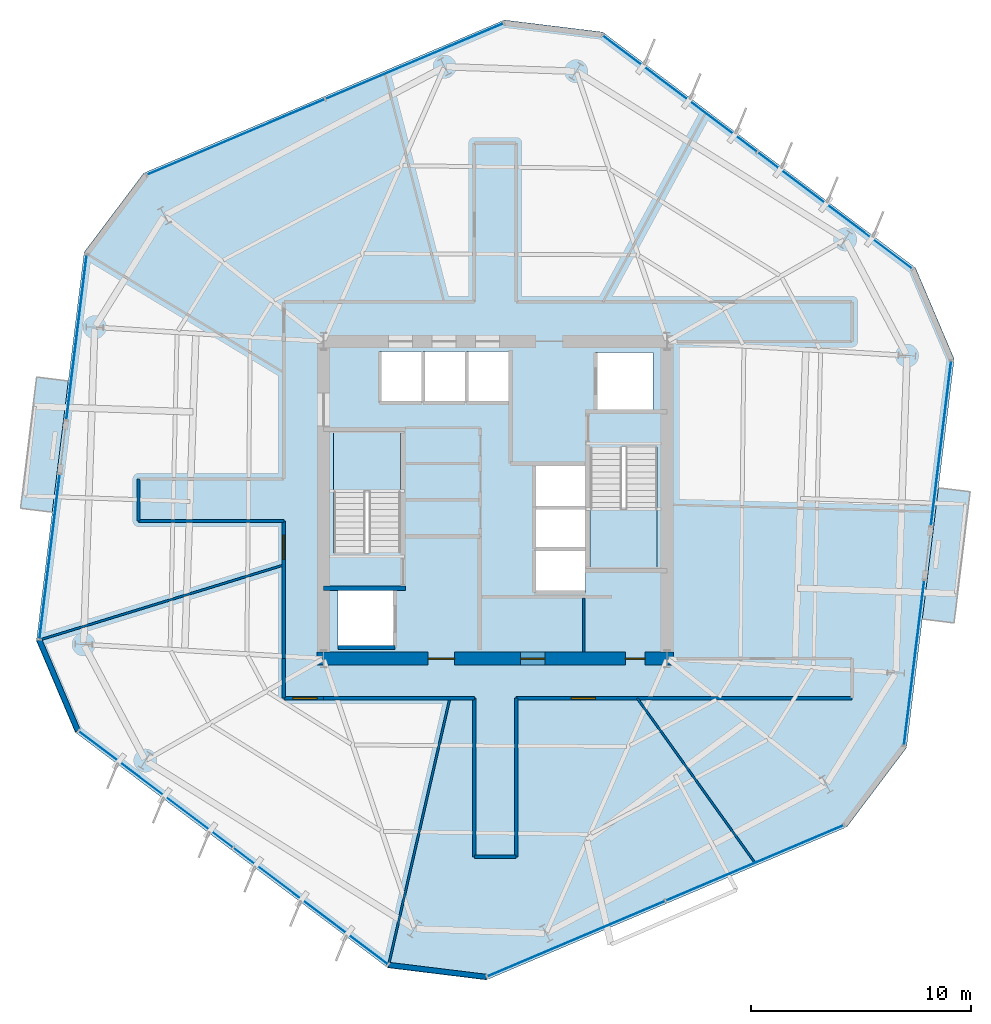
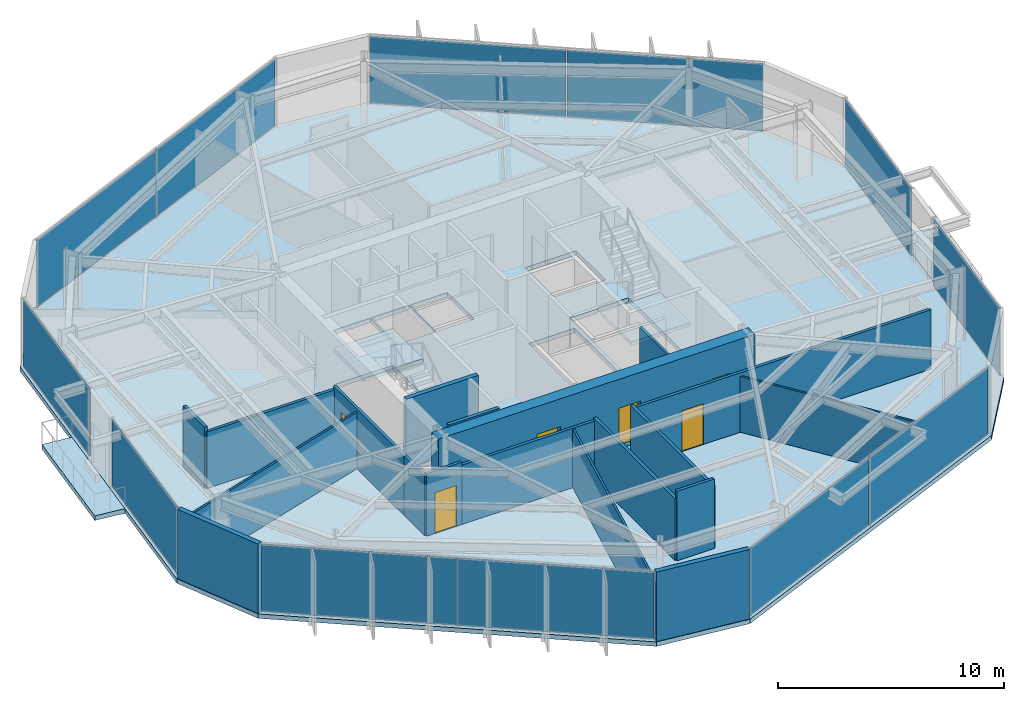
# One storey, part 6 of 11: 19 walls, 12 plates, 6 doors, 5 slabs, 6 openings, 10 elements without a shape of their own.
"""IFC4 building model written with IfcOpenShell, lengths in metres."""

from ifc_helpers import new_model, si_unit, direction, frame, frame_2d, origin, origin_2d, place, context, subcontext, project, spatial, polyline, rectangle, outline, extrude, material, layer, layer_set, type_object, element, fill, aggregate, save


model = new_model("IFC4")

# Units and contexts
model_context = context("Model", 3, precision=1e-05, world=origin(), true_north=direction((0.0, 1.0)))
body_context = subcontext(model_context, "Body", "Model", "MODEL_VIEW")
ifc_project = project(units=[si_unit("LENGTHUNIT", "METRE"), si_unit("AREAUNIT", "SQUARE_METRE"), si_unit("VOLUMEUNIT", "CUBIC_METRE"), si_unit("PLANEANGLEUNIT", "RADIAN"), si_unit("MASSUNIT", "GRAM", prefix="KILO")], contexts=[model_context])

# Site, building, storey
site_placement = place(None, origin())
site = spatial("IfcSite", under=ifc_project, at=site_placement, CompositionType="ELEMENT")
building_placement = place(site_placement, origin())
building = spatial("IfcBuilding", under=site, at=building_placement, Name="Kranzbogen Civic Tower", CompositionType="ELEMENT")
storey_placement = place(building_placement, frame((0.0, 0.0, 114.39990234375)))
storey = spatial("IfcBuildingStorey", under=building, at=storey_placement, Name="L27", CompositionType="ELEMENT", Elevation=114.39990234375)

# Slab
ifc_material_1 = material(Name="Concrete C40/50", Category="concrete")
ifc_layer_1 = layer(ifc_material_1, 0.239990234375, Name="Concrete C40/50")
ifc_layer_set_1 = layer_set([ifc_layer_1], Name="Concrete C40/50")
slab_type_1 = type_object("IfcSlabType", Name="Composite Lower Tower Floor Slab 240 mm", PredefinedType="FLOOR", material=ifc_layer_set_1)
slab_1_placement = place(storey_placement, frame((0.0, 0.0, -0.239990234375)))
element("IfcSlab", 1, at=slab_1_placement, inside=storey, type_object=slab_type_1, Name="L27 tower floor slab", PredefinedType="FLOOR", context=body_context, shape_type="SweptSolid", body=[
    extrude(outline(polyline([(44.076904296875, 35.5419921875), (29.875, 46.243896484375), (25.408935546875, 46.7919921875), (9.0400390625, 39.843994140625), (6.33203125, 36.25), (4.1650390625, 18.60009765625), (5.923095703125, 14.4580078125), (20.125, 3.756103515625), (24.591064453125, 3.2080078125), (40.9599609375, 10.156005859375), (43.66796875, 13.75), (45.8349609375, 31.39990234375), (44.076904296875, 35.5419921875)]), holes=[polyline([(20.449951171875, 20.89990234375), (20.449951171875, 18.300048828125), (17.85009765625, 18.300048828125), (17.85009765625, 20.89990234375), (20.449951171875, 20.89990234375)]), polyline([(29.10009765625, 22.699951171875), (29.10009765625, 20.800048828125), (26.75, 20.800048828125), (26.75, 22.699951171875), (29.10009765625, 22.699951171875)]), polyline([(29.10009765625, 24.64990234375), (29.10009765625, 22.77490234375), (26.75, 22.77490234375), (26.75, 24.64990234375), (26.75, 24.675048828125), (26.75, 26.550048828125), (29.10009765625, 26.550048828125), (29.10009765625, 24.675048828125), (29.10009765625, 24.64990234375)]), polyline([(30.75, 27.340087890625), (30.75, 27.39990234375), (32.35009765625, 27.39990234375), (32.35009765625, 21.89990234375), (29.300048828125, 21.89990234375), (29.300048828125, 27.340087890625), (30.75, 27.340087890625)]), polyline([(19.25, 22.659912109375), (19.25, 22.60009765625), (17.64990234375, 22.60009765625), (17.64990234375, 28.10009765625), (20.699951171875, 28.10009765625), (20.699951171875, 22.659912109375), (19.25, 22.659912109375)]), polyline([(32.14990234375, 31.699951171875), (32.14990234375, 29.10009765625), (29.550048828125, 29.10009765625), (29.550048828125, 31.699951171875), (32.14990234375, 31.699951171875)]), polyline([(21.64990234375, 31.75), (21.64990234375, 29.39990234375), (19.75, 29.39990234375), (19.75, 31.75), (21.64990234375, 31.75)]), polyline([(23.625, 29.39990234375), (21.72509765625, 29.39990234375), (21.72509765625, 31.75), (23.625, 31.75), (23.625, 29.39990234375)]), polyline([(25.60009765625, 29.39990234375), (23.699951171875, 29.39990234375), (23.699951171875, 31.75), (25.60009765625, 31.75), (25.60009765625, 29.39990234375)])]), origin(), (0.0, 0.0, 1.0), 0.239990234375),
])

# Curtain wall, plates
ifc_material_2 = material(Name="Pale Anodised Aluminium", Category="aluminium")
ifc_layer_2 = layer(ifc_material_2, 0.219970703125, Name="Pale Anodised Aluminium")
ifc_layer_set_2 = layer_set([ifc_layer_2], Name="Pale Anodised Aluminium")
curtain_wall_type = type_object("IfcCurtainWallType", Name="Zone 2 Stick Curtain Wall System CW-03", PredefinedType="USERDEFINED", material=ifc_layer_set_2)
curtain_wall_1_placement = place(storey_placement, origin())
curtain_wall_1 = element("IfcCurtainWall", 2, at=curtain_wall_1_placement, inside=storey, type_object=curtain_wall_type, Name="L27 curtain wall CW-L27-F1", ObjectType="STICK CURTAIN WALL", PredefinedType="USERDEFINED")
ifc_material_3 = material(Name="Low-E Triple Glazing Glass", Category="glass")
ifc_layer_3 = layer(ifc_material_3, 0.031982421875, Name="Low-E Triple Glazing Glass")
ifc_layer_set_3 = layer_set([ifc_layer_3], Name="Low-E Triple Glazing Glass")
plate_type = type_object("IfcPlateType", Name="Insulated Low-E Glazing Panel 32 mm", PredefinedType="CURTAIN_PANEL", material=ifc_layer_set_3)
plate_1_placement = place(storey_placement, frame((40.41455078125, 38.1416015625, 0.06005859375), z_axis=(0.0, 0.0, 1.0), x_axis=(-0.7985987208, 0.601863841027, 0.0)))
plate_1 = element("IfcPlate", 3, at=plate_1_placement, type_object=plate_type, Name="CW-03 panel 1.1", PredefinedType="CURTAIN_PANEL", context=body_context, shape_type="SweptSolid", body=[
    extrude(rectangle(XDim=8.744140625, YDim=0.028076171875, at=origin_2d()), origin(), (0.0, 0.0, 1.0), 3.639892578125),
])
plate_2_placement = place(storey_placement, frame((33.383544921875, 43.4404296875, 0.06005859375), z_axis=(0.0, 0.0, 1.0), x_axis=(-0.7985987208, 0.601863841027, 0.0)))
plate_2 = element("IfcPlate", 4, at=plate_2_placement, type_object=plate_type, Name="CW-03 panel 2.1", PredefinedType="CURTAIN_PANEL", context=body_context, shape_type="SweptSolid", body=[
    extrude(rectangle(XDim=8.744140625, YDim=0.028076171875, at=origin_2d()), origin(), (0.0, 0.0, 1.0), 3.639892578125),
])
aggregate(curtain_wall_1, [plate_1, plate_2])

curtain_wall_2_placement = place(storey_placement, origin())
curtain_wall_2 = element("IfcCurtainWall", 5, at=curtain_wall_2_placement, inside=storey, type_object=curtain_wall_type, Name="L27 curtain wall CW-L27-F2", ObjectType="STICK CURTAIN WALL", PredefinedType="USERDEFINED")
plate_3_placement = place(storey_placement, frame((21.326416015625, 44.92041015625, 0.06005859375), z_axis=(0.0, 0.0, 1.0), x_axis=(-0.92050961582, -0.390719908864, 0.0)))
plate_3 = element("IfcPlate", 6, at=plate_3_placement, type_object=plate_type, Name="CW-03 panel 1.1", PredefinedType="CURTAIN_PANEL", context=body_context, shape_type="SweptSolid", body=[
    extrude(rectangle(XDim=8.74365234375, YDim=0.028076171875, at=origin_2d()), origin(), (0.0, 0.0, 1.0), 3.639892578125),
])
plate_4_placement = place(storey_placement, frame((13.22265625, 41.480712890625, 0.06005859375), z_axis=(0.0, 0.0, 1.0), x_axis=(-0.92050961582, -0.390719908864, 0.0)))
plate_4 = element("IfcPlate", 7, at=plate_4_placement, type_object=plate_type, Name="CW-03 panel 2.1", PredefinedType="CURTAIN_PANEL", context=body_context, shape_type="SweptSolid", body=[
    extrude(rectangle(XDim=8.74365234375, YDim=0.028076171875, at=origin_2d()), origin(), (0.0, 0.0, 1.0), 3.639892578125),
])
aggregate(curtain_wall_2, [plate_3, plate_4])

# Curtain wall, plate
curtain_wall_3_placement = place(storey_placement, origin())
curtain_wall_3 = element("IfcCurtainWall", 8, at=curtain_wall_3_placement, inside=storey, type_object=curtain_wall_type, Name="L27 curtain wall CW-L27-F3-S1", ObjectType="STICK CURTAIN WALL", PredefinedType="USERDEFINED")
plate_5_placement = place(storey_placement, frame((5.987060546875, 32.388916015625, 0.06005859375), z_axis=(0.0, 0.0, 1.0), x_axis=(-0.121809807043, -0.992553459975, 0.0)))
plate_5 = element("IfcPlate", 9, at=plate_5_placement, type_object=plate_type, Name="CW-03 panel 1.1", PredefinedType="CURTAIN_PANEL", context=body_context, shape_type="SweptSolid", body=[
    extrude(rectangle(XDim=7.514892578125, YDim=0.028076171875, at=origin_2d()), origin(), (0.0, 0.0, 1.0), 3.639892578125),
])
aggregate(curtain_wall_3, [plate_5])

curtain_wall_4_placement = place(storey_placement, origin())
curtain_wall_4 = element("IfcCurtainWall", 10, at=curtain_wall_4_placement, inside=storey, type_object=curtain_wall_type, Name="L27 curtain wall CW-L27-F3-S2", ObjectType="STICK CURTAIN WALL", PredefinedType="USERDEFINED")
plate_6_placement = place(storey_placement, frame((4.763916015625, 22.429443359375, 0.06005859375), z_axis=(0.0, 0.0, 1.0), x_axis=(-0.121825644722, -0.992551516188, 0.0)))
plate_6 = element("IfcPlate", 11, at=plate_6_placement, type_object=plate_type, Name="CW-03 panel 1.1", PredefinedType="CURTAIN_PANEL", context=body_context, shape_type="SweptSolid", body=[
    extrude(rectangle(XDim=7.513916015625, YDim=0.028076171875, at=origin_2d()), origin(), (0.0, 0.0, 1.0), 3.639892578125),
])
aggregate(curtain_wall_4, [plate_6])

# Curtain wall, plates
curtain_wall_5_placement = place(storey_placement, origin())
curtain_wall_5 = element("IfcCurtainWall", 12, at=curtain_wall_5_placement, inside=storey, type_object=curtain_wall_type, Name="L27 curtain wall CW-L27-F4", ObjectType="STICK CURTAIN WALL", PredefinedType="USERDEFINED")
plate_7_placement = place(storey_placement, frame((9.58544921875, 11.8583984375, 0.06005859375), z_axis=(0.0, 0.0, 1.0), x_axis=(0.7985987208, -0.601863841027, 0.0)))
plate_7 = element("IfcPlate", 13, at=plate_7_placement, type_object=plate_type, Name="CW-03 panel 1.1", PredefinedType="CURTAIN_PANEL", context=body_context, shape_type="SweptSolid", body=[
    extrude(rectangle(XDim=8.744140625, YDim=0.028076171875, at=origin_2d()), origin(), (0.0, 0.0, 1.0), 3.639892578125),
])
plate_8_placement = place(storey_placement, frame((16.616455078125, 6.5595703125, 0.06005859375), z_axis=(0.0, 0.0, 1.0), x_axis=(0.7985987208, -0.601863841027, 0.0)))
plate_8 = element("IfcPlate", 14, at=plate_8_placement, type_object=plate_type, Name="CW-03 panel 2.1", PredefinedType="CURTAIN_PANEL", context=body_context, shape_type="SweptSolid", body=[
    extrude(rectangle(XDim=8.744140625, YDim=0.028076171875, at=origin_2d()), origin(), (0.0, 0.0, 1.0), 3.639892578125),
])
aggregate(curtain_wall_5, [plate_7, plate_8])

curtain_wall_6_placement = place(storey_placement, origin())
curtain_wall_6 = element("IfcCurtainWall", 15, at=curtain_wall_6_placement, inside=storey, type_object=curtain_wall_type, Name="L27 curtain wall CW-L27-F5", ObjectType="STICK CURTAIN WALL", PredefinedType="USERDEFINED")
plate_9_placement = place(storey_placement, frame((28.673583984375, 5.07958984375, 0.06005859375), z_axis=(0.0, 0.0, 1.0), x_axis=(0.92050961582, 0.390719908864, 0.0)))
plate_9 = element("IfcPlate", 16, at=plate_9_placement, type_object=plate_type, Name="CW-03 panel 1.1", PredefinedType="CURTAIN_PANEL", context=body_context, shape_type="SweptSolid", body=[
    extrude(rectangle(XDim=8.74365234375, YDim=0.028076171875, at=origin_2d()), origin(), (0.0, 0.0, 1.0), 3.639892578125),
])
plate_10_placement = place(storey_placement, frame((36.77734375, 8.519287109375, 0.06005859375), z_axis=(0.0, 0.0, 1.0), x_axis=(0.92050961582, 0.390719908864, 0.0)))
plate_10 = element("IfcPlate", 17, at=plate_10_placement, type_object=plate_type, Name="CW-03 panel 2.1", PredefinedType="CURTAIN_PANEL", context=body_context, shape_type="SweptSolid", body=[
    extrude(rectangle(XDim=8.74365234375, YDim=0.028076171875, at=origin_2d()), origin(), (0.0, 0.0, 1.0), 3.639892578125),
])
aggregate(curtain_wall_6, [plate_9, plate_10])

# Curtain wall, plate
curtain_wall_7_placement = place(storey_placement, origin())
curtain_wall_7 = element("IfcCurtainWall", 18, at=curtain_wall_7_placement, inside=storey, type_object=curtain_wall_type, Name="L27 curtain wall CW-L27-F6-S1", ObjectType="STICK CURTAIN WALL", PredefinedType="USERDEFINED")
plate_11_placement = place(storey_placement, frame((44.012939453125, 17.611083984375, 0.06005859375), z_axis=(0.0, 0.0, 1.0), x_axis=(0.121809807043, 0.992553459975, 0.0)))
plate_11 = element("IfcPlate", 19, at=plate_11_placement, type_object=plate_type, Name="CW-03 panel 1.1", PredefinedType="CURTAIN_PANEL", context=body_context, shape_type="SweptSolid", body=[
    extrude(rectangle(XDim=7.514892578125, YDim=0.028076171875, at=origin_2d()), origin(), (0.0, 0.0, 1.0), 3.639892578125),
])
aggregate(curtain_wall_7, [plate_11])

curtain_wall_8_placement = place(storey_placement, origin())
curtain_wall_8 = element("IfcCurtainWall", 20, at=curtain_wall_8_placement, inside=storey, type_object=curtain_wall_type, Name="L27 curtain wall CW-L27-F6-S2", ObjectType="STICK CURTAIN WALL", PredefinedType="USERDEFINED")
plate_12_placement = place(storey_placement, frame((45.236083984375, 27.570556640625, 0.06005859375), z_axis=(0.0, 0.0, 1.0), x_axis=(0.121825644722, 0.992551516188, 0.0)))
plate_12 = element("IfcPlate", 21, at=plate_12_placement, type_object=plate_type, Name="CW-03 panel 1.1", PredefinedType="CURTAIN_PANEL", context=body_context, shape_type="SweptSolid", body=[
    extrude(rectangle(XDim=7.513916015625, YDim=0.028076171875, at=origin_2d()), origin(), (0.0, 0.0, 1.0), 3.639892578125),
])
aggregate(curtain_wall_8, [plate_12])

# Stair, slab
ifc_material_4 = material(Name="Precast concrete C40/50", Category="concrete")
stair_type_1 = type_object("IfcStairType", Name="Tower Core Pressurized Dogleg Stair 1450", PredefinedType="HALF_TURN_STAIR", material=ifc_material_4)
stair_1_placement = place(storey_placement, origin())
stair_1 = element("IfcStair", 22, at=stair_1_placement, inside=storey, type_object=stair_type_1, Name="L27 Tower Core Pressurized Stair 1", PredefinedType="HALF_TURN_STAIR")
ifc_layer_4 = layer(ifc_material_4, 0.199951171875, Name="Precast concrete C40/50")
ifc_layer_set_4 = layer_set([ifc_layer_4], Name="Precast concrete C40/50")
slab_type_2 = type_object("IfcSlabType", Name="Precast Concrete Stair Landing Slab 200 mm", PredefinedType="LANDING", material=ifc_layer_set_4)
slab_2_placement = place(storey_placement, frame((0.0, 0.0, 1.800048828125)))
slab_2 = element("IfcSlab", 23, at=slab_2_placement, type_object=slab_type_2, Name="ST-T1 landing 1", PredefinedType="LANDING", context=body_context, shape_type="SweptSolid", body=[
    extrude(outline(polyline([(20.699951171875, 25.39990234375), (20.699951171875, 28.10009765625), (17.64990234375, 28.10009765625), (17.64990234375, 25.39990234375), (20.699951171875, 25.39990234375)])), origin(), (0.0, 0.0, 1.0), 0.199951171875),
])
aggregate(stair_1, [slab_2])

stair_type_2 = type_object("IfcStairType", Name="Tower Core Secondary Dogleg Stair 1450", PredefinedType="HALF_TURN_STAIR", material=ifc_material_4)
stair_2_placement = place(storey_placement, origin())
stair_2 = element("IfcStair", 24, at=stair_2_placement, inside=storey, type_object=stair_type_2, Name="L27 Tower Core Pressurized Stair 2", PredefinedType="HALF_TURN_STAIR")
slab_3_placement = place(storey_placement, frame((0.0, 0.0, 1.800048828125)))
slab_3 = element("IfcSlab", 25, at=slab_3_placement, type_object=slab_type_2, Name="ST-T2 landing 1", PredefinedType="LANDING", context=body_context, shape_type="SweptSolid", body=[
    extrude(outline(polyline([(29.300048828125, 24.60009765625), (29.300048828125, 21.89990234375), (32.35009765625, 21.89990234375), (32.35009765625, 24.60009765625), (29.300048828125, 24.60009765625)])), origin(), (0.0, 0.0, 1.0), 0.199951171875),
])
aggregate(stair_2, [slab_3])

# Slabs
ifc_layer_5 = layer(ifc_material_1, 0.25, Name="Concrete C40/50")
ifc_layer_set_5 = layer_set([ifc_layer_5], Name="Concrete C40/50")
slab_type_3 = type_object("IfcSlabType", Name="Tree Balcony Cantilevered Slab 250 mm", PredefinedType="FLOOR", material=ifc_layer_set_5)
slab_4_placement = place(storey_placement, frame((0.0, 0.0, -0.25)))
element("IfcSlab", 26, at=slab_4_placement, inside=storey, type_object=slab_type_3, Name="L27 cantilevered tree balcony L27-TB1", PredefinedType="FLOOR", context=body_context, shape_type="SweptSolid", body=[
    extrude(outline(polyline([(5.614013671875, 30.403076171875), (4.883056640625, 24.447998046875), (3.444091796875, 24.625), (4.175048828125, 30.580078125), (5.614013671875, 30.403076171875)])), origin(), (0.0, 0.0, 1.0), 0.25),
])
slab_5_placement = place(storey_placement, frame((0.0, 0.0, -0.25)))
element("IfcSlab", 27, at=slab_5_placement, inside=storey, type_object=slab_type_3, Name="L27 cantilevered tree balcony L27-TB2", PredefinedType="FLOOR", context=body_context, shape_type="SweptSolid", body=[
    extrude(outline(polyline([(44.385986328125, 19.596923828125), (45.116943359375, 25.552001953125), (46.555908203125, 25.375), (45.824951171875, 19.419921875), (44.385986328125, 19.596923828125)])), origin(), (0.0, 0.0, 1.0), 0.25),
])

# Wall, opening, door
ifc_material_5 = material(Name="Double-Stud Acoustic Gypsum Partition")
ifc_layer_6 = layer(ifc_material_5, 0.14990234375, Name="Double-Stud Acoustic Gypsum Partition")
ifc_layer_set_6 = layer_set([ifc_layer_6], Name="Double-Stud Acoustic Gypsum Partition")
wall_type_1 = type_object("IfcWallType", Name="Acoustic Corridor and Clinical Partition 150 mm", PredefinedType="PARTITIONING", material=ifc_layer_set_6)
wall_1_placement = place(storey_placement, frame((17.199951171875, 16.0, 0.0), z_axis=(0.0, 0.0, 1.0), x_axis=(-1.0, 0.0, 0.0)))
wall_1 = element("IfcWall", 28, at=wall_1_placement, inside=storey, type_object=wall_type_1, Name="L27 corridor partition 01", PredefinedType="PARTITIONING", context=body_context, shape_type="SweptSolid", body=[
    extrude(rectangle(XDim=1.800048828125, YDim=0.14990234375, at=frame_2d((0.89990234375, 0.0))), origin(), (0.0, 0.0, 1.0), 3.360107421875),
])
opening_1_placement = place(wall_1_placement, frame((0.287109375, 0.0, 0.0)))
opening_1 = element("IfcOpeningElement", 29, at=opening_1_placement, cuts=wall_1, Name="Opening D-COR60", PredefinedType="OPENING", context=body_context, shape_type="SweptSolid", body=[
    extrude(rectangle(XDim=1.10009765625, YDim=2.199951171875, at=frame_2d((0.550048828125, 1.10009765625))), frame((0.0, 0.0849609375, 0.0), z_axis=(0.0, -1.0, 0.0), x_axis=(1.0, 0.0, 0.0)), (0.0, 0.0, 1.0), 0.169921875),
])
ifc_material_6 = material(Name="Oak Timber and Fire Core", Category="wood")
door_type_1 = type_object("IfcDoorType", Name="Corridor Acoustic Fire Door 1100x2200", OperationType="NOTDEFINED", PredefinedType="DOOR", material=ifc_material_6)
door_1_placement = place(opening_1_placement, origin())
door_1 = element("IfcDoor", 30, at=door_1_placement, inside=storey, type_object=door_type_1, Name="L27 Executive Briefing Conference Room door", OperationType="SINGLE_SWING_RIGHT", OverallHeight=2.199951171875, OverallWidth=1.10009765625, PredefinedType="DOOR", context=body_context, shape_type="SweptSolid", body=[
    extrude(rectangle(XDim=1.10009765625, YDim=2.199951171875, at=frame_2d((0.550048828125, 1.10009765625))), frame((0.0, 0.02490234375, 0.0), z_axis=(0.0, -1.0, 0.0), x_axis=(1.0, 0.0, 0.0)), (0.0, 0.0, 1.0), 0.050048828125),
])
fill(opening_1, door_1)

# Wall
wall_2_placement = place(storey_placement, frame((15.39990234375, 16.0, 0.0), z_axis=(0.0, 0.0, 1.0), x_axis=(0.0, 1.0, 0.0)))
element("IfcWall", 31, at=wall_2_placement, inside=storey, type_object=wall_type_1, Name="L27 corridor partition 02", PredefinedType="PARTITIONING", context=body_context, shape_type="SweptSolid", body=[
    extrude(rectangle(XDim=1.800048828125, YDim=0.14990234375, at=frame_2d((0.89990234375, 0.0))), origin(), (0.0, 0.0, 1.0), 3.210205078125),
])

# Wall, opening, door
wall_3_placement = place(storey_placement, frame((15.39990234375, 17.800048828125, 0.0), z_axis=(0.0, 0.0, 1.0), x_axis=(0.0, 1.0, 0.0)))
wall_3 = element("IfcWall", 32, at=wall_3_placement, inside=storey, type_object=wall_type_1, Name="L27 corridor partition 03", PredefinedType="PARTITIONING", context=body_context, shape_type="SweptSolid", body=[
    extrude(rectangle(XDim=6.25, YDim=0.14990234375, at=frame_2d((3.125, 0.0))), origin(), (0.0, 0.0, 1.0), 3.210205078125),
])
opening_2_placement = place(wall_3_placement, frame((4.508056640625, 0.0, 0.0)))
opening_2 = element("IfcOpeningElement", 33, at=opening_2_placement, cuts=wall_3, Name="Opening D-COR60", PredefinedType="OPENING", context=body_context, shape_type="SweptSolid", body=[
    extrude(rectangle(XDim=1.10009765625, YDim=2.199951171875, at=frame_2d((0.550048828125, 1.10009765625))), frame((0.0, 0.0849609375, 0.0), z_axis=(0.0, -1.0, 0.0), x_axis=(1.0, 0.0, 0.0)), (0.0, 0.0, 1.0), 0.169921875),
])
door_2_placement = place(opening_2_placement, origin())
door_2 = element("IfcDoor", 34, at=door_2_placement, inside=storey, type_object=door_type_1, Name="L27 Public Delegation Reception door", OperationType="SINGLE_SWING_RIGHT", OverallHeight=2.199951171875, OverallWidth=1.10009765625, PredefinedType="DOOR", context=body_context, shape_type="SweptSolid", body=[
    extrude(rectangle(XDim=1.10009765625, YDim=2.199951171875, at=frame_2d((0.550048828125, 1.10009765625))), frame((0.0, 0.02490234375, 0.0), z_axis=(0.0, -1.0, 0.0), x_axis=(1.0, 0.0, 0.0)), (0.0, 0.0, 1.0), 0.050048828125),
])
fill(opening_2, door_2)

# Walls
wall_4_placement = place(storey_placement, frame((15.39990234375, 24.050048828125, 0.0), z_axis=(0.0, 0.0, 1.0), x_axis=(-1.0, 0.0, 0.0)))
element("IfcWall", 35, at=wall_4_placement, inside=storey, type_object=wall_type_1, Name="L27 corridor partition 04", PredefinedType="PARTITIONING", context=body_context, shape_type="SweptSolid", body=[
    extrude(rectangle(XDim=6.599853515625, YDim=0.14990234375, at=frame_2d((3.2998046875, 0.0))), origin(), (0.0, 0.0, 1.0), 3.050048828125),
])
wall_5_placement = place(storey_placement, frame((8.800048828125, 24.050048828125, 0.0), z_axis=(0.0, 0.0, 1.0), x_axis=(0.0, 1.0, 0.0)))
element("IfcWall", 36, at=wall_5_placement, inside=storey, type_object=wall_type_1, Name="L27 corridor partition 05", PredefinedType="PARTITIONING", context=body_context, shape_type="SweptSolid", body=[
    extrude(rectangle(XDim=1.89990234375, YDim=0.14990234375, at=frame_2d((0.949951171875, 0.0))), origin(), (0.0, 0.0, 1.0), 3.300048828125),
])

# Wall, opening, door
wall_6_placement = place(storey_placement, frame((41.199951171875, 16.0, 0.0), z_axis=(0.0, 0.0, 1.0), x_axis=(-1.0, 0.0, 0.0)))
wall_6 = element("IfcWall", 37, at=wall_6_placement, inside=storey, type_object=wall_type_1, Name="L27 corridor partition 19", PredefinedType="PARTITIONING", context=body_context, shape_type="SweptSolid", body=[
    extrude(rectangle(XDim=15.25, YDim=0.14990234375, at=frame_2d((7.625, 0.0))), origin(), (0.0, 0.0, 1.0), 3.210205078125),
])
opening_3_placement = place(wall_6_placement, frame((11.652099609375, 0.0, 0.0)))
opening_3 = element("IfcOpeningElement", 38, at=opening_3_placement, cuts=wall_6, Name="Opening D-COR60", PredefinedType="OPENING", context=body_context, shape_type="SweptSolid", body=[
    extrude(rectangle(XDim=1.10009765625, YDim=2.199951171875, at=frame_2d((0.550048828125, 1.10009765625))), frame((0.0, 0.0849609375, 0.0), z_axis=(0.0, -1.0, 0.0), x_axis=(1.0, 0.0, 0.0)), (0.0, 0.0, 1.0), 0.169921875),
])
door_3_placement = place(opening_3_placement, origin())
door_3 = element("IfcDoor", 39, at=door_3_placement, inside=storey, type_object=door_type_1, Name="L27 Parliamentary Review Boardroom door", OperationType="SINGLE_SWING_LEFT", OverallHeight=2.199951171875, OverallWidth=1.10009765625, PredefinedType="DOOR", context=body_context, shape_type="SweptSolid", body=[
    extrude(rectangle(XDim=1.10009765625, YDim=2.199951171875, at=frame_2d((0.550048828125, 1.10009765625))), frame((0.0, 0.02490234375, 0.0), z_axis=(0.0, -1.0, 0.0), x_axis=(1.0, 0.0, 0.0)), (0.0, 0.0, 1.0), 0.050048828125),
])
fill(opening_3, door_3)

# Walls
wall_7_placement = place(storey_placement, frame((25.949951171875, 16.0, 0.0), z_axis=(0.0, 0.0, 1.0), x_axis=(0.0, -1.0, 0.0)))
element("IfcWall", 40, at=wall_7_placement, inside=storey, type_object=wall_type_1, Name="L27 corridor partition 20", PredefinedType="PARTITIONING", context=body_context, shape_type="SweptSolid", body=[
    extrude(rectangle(XDim=7.199951171875, YDim=0.14990234375, at=frame_2d((3.60009765625, 0.0))), origin(), (0.0, 0.0, 1.0), 3.360107421875),
])
wall_8_placement = place(storey_placement, frame((25.949951171875, 8.800048828125, 0.0), z_axis=(0.0, 0.0, 1.0), x_axis=(-1.0, 0.0, 0.0)))
element("IfcWall", 41, at=wall_8_placement, inside=storey, type_object=wall_type_1, Name="L27 corridor partition 21", PredefinedType="PARTITIONING", context=body_context, shape_type="SweptSolid", body=[
    extrude(rectangle(XDim=1.89990234375, YDim=0.14990234375, at=frame_2d((0.949951171875, 0.0))), origin(), (0.0, 0.0, 1.0), 3.760009765625),
])
wall_9_placement = place(storey_placement, frame((24.050048828125, 8.800048828125, 0.0), z_axis=(0.0, 0.0, 1.0), x_axis=(0.0, 1.0, 0.0)))
element("IfcWall", 42, at=wall_9_placement, inside=storey, type_object=wall_type_1, Name="L27 corridor partition 22", PredefinedType="PARTITIONING", context=body_context, shape_type="SweptSolid", body=[
    extrude(rectangle(XDim=7.199951171875, YDim=0.14990234375, at=frame_2d((3.60009765625, 0.0))), origin(), (0.0, 0.0, 1.0), 3.360107421875),
])
wall_10_placement = place(storey_placement, frame((24.050048828125, 16.0, 0.0), z_axis=(0.0, 0.0, 1.0), x_axis=(-1.0, 0.0, 0.0)))
element("IfcWall", 43, at=wall_10_placement, inside=storey, type_object=wall_type_1, Name="L27 corridor partition 23", PredefinedType="PARTITIONING", context=body_context, shape_type="SweptSolid", body=[
    extrude(rectangle(XDim=6.85009765625, YDim=0.14990234375, at=frame_2d((3.425048828125, 0.0))), origin(), (0.0, 0.0, 1.0), 3.210205078125),
])
ifc_material_7 = material(Name="Insulated Metal-Stud Gypsum Partition")
ifc_layer_7 = layer(ifc_material_7, 0.125, Name="Insulated Metal-Stud Gypsum Partition")
ifc_layer_set_7 = layer_set([ifc_layer_7], Name="Insulated Metal-Stud Gypsum Partition")
wall_type_2 = type_object("IfcWallType", Name="Acoustic Inter-Room Partition 125 mm", PredefinedType="PARTITIONING", material=ifc_layer_set_7)
wall_11_placement = place(storey_placement, frame((29.010009765625, 18.10009765625, 0.0), z_axis=(0.0, 0.0, 1.0), x_axis=(0.0, 1.0, 0.0)))
element("IfcWall", 44, at=wall_11_placement, inside=storey, type_object=wall_type_2, Name="L27 core auxiliary partition 1", PredefinedType="PARTITIONING", context=body_context, shape_type="SweptSolid", body=[
    extrude(rectangle(XDim=2.449951171875, YDim=0.125, at=frame_2d((1.22509765625, 0.0))), origin(), (0.0, 0.0, 1.0), 3.760009765625),
])

# Wall, openings, doors
ifc_material_8 = material(Name="Concrete C55/67", Category="concrete")
ifc_layer_8 = layer(ifc_material_8, 0.60009765625, Name="Concrete C55/67")
ifc_layer_set_8 = layer_set([ifc_layer_8], Name="Concrete C55/67")
wall_type_3 = type_object("IfcWallType", Name="Central Core Shear Wall 600 mm", PredefinedType="SHEAR", material=ifc_layer_set_8)
wall_12_placement = place(storey_placement, frame((16.89990234375, 17.800048828125, 0.0), z_axis=(0.0, 0.0, 1.0), x_axis=(1.0, 0.0, 0.0)))
wall_12 = element("IfcWall", 45, at=wall_12_placement, inside=storey, type_object=wall_type_3, Name="L27 central core South shear wall", PredefinedType="SHEAR", context=body_context, shape_type="SweptSolid", body=[
    extrude(rectangle(XDim=16.2001953125, YDim=0.60009765625, at=frame_2d((8.10009765625, 0.0))), origin(), (0.0, 0.0, 1.0), 3.760009765625),
])
opening_4_placement = place(wall_12_placement, frame((5.050048828125, 0.0, 0.0)))
opening_4 = element("IfcOpeningElement", 46, at=opening_4_placement, cuts=wall_12, Name="Opening D-EX120", PredefinedType="OPENING", context=body_context, shape_type="SweptSolid", body=[
    extrude(rectangle(XDim=1.199951171875, YDim=2.25, at=frame_2d((0.60009765625, 1.125))), frame((0.0, 0.31005859375, 0.0), z_axis=(0.0, -1.0, 0.0), x_axis=(1.0, 0.0, 0.0)), (0.0, 0.0, 1.0), 0.6201171875),
])
opening_5_placement = place(wall_12_placement, frame((14.0, 0.0, 0.0)))
opening_5 = element("IfcOpeningElement", 47, at=opening_5_placement, cuts=wall_12, Name="Opening D-WC90", PredefinedType="OPENING", context=body_context, shape_type="SweptSolid", body=[
    extrude(rectangle(XDim=0.89990234375, YDim=2.10009765625, at=frame_2d((0.449951171875, 1.050048828125))), frame((0.0, 0.31005859375, 0.0), z_axis=(0.0, -1.0, 0.0), x_axis=(1.0, 0.0, 0.0)), (0.0, 0.0, 1.0), 0.6201171875),
])
opening_6_placement = place(wall_12_placement, frame((9.25, 0.0, 0.0)))
opening_6 = element("IfcOpeningElement", 48, at=opening_6_placement, cuts=wall_12, Name="Opening D-COR60", PredefinedType="OPENING", context=body_context, shape_type="SweptSolid", body=[
    extrude(rectangle(XDim=1.10009765625, YDim=2.199951171875, at=frame_2d((0.550048828125, 1.10009765625))), frame((0.0, 0.31005859375, 0.0), z_axis=(0.0, -1.0, 0.0), x_axis=(1.0, 0.0, 0.0)), (0.0, 0.0, 1.0), 0.6201171875),
])
door_4_placement = place(opening_6_placement, origin())
door_4 = element("IfcDoor", 49, at=door_4_placement, inside=storey, type_object=door_type_1, Name="L27 REC1 archive room door", OperationType="SINGLE_SWING_LEFT", OverallHeight=2.199951171875, OverallWidth=1.10009765625, PredefinedType="DOOR", context=body_context, shape_type="SweptSolid", body=[
    extrude(rectangle(XDim=1.10009765625, YDim=2.199951171875, at=frame_2d((0.550048828125, 1.10009765625))), frame((0.0, 0.02490234375, 0.0), z_axis=(0.0, -1.0, 0.0), x_axis=(1.0, 0.0, 0.0)), (0.0, 0.0, 1.0), 0.050048828125),
])
fill(opening_6, door_4)
ifc_material_9 = material(Name="Steel S355", Category="steel")
door_type_2 = type_object("IfcDoorType", Name="Exit Passageway Fire Door 1200x2250", OperationType="NOTDEFINED", PredefinedType="DOOR", material=ifc_material_9)
door_5_placement = place(opening_4_placement, origin())
door_5 = element("IfcDoor", 50, at=door_5_placement, inside=storey, type_object=door_type_2, Name="L27 West firefighting lobby corridor door", OperationType="SINGLE_SWING_LEFT", OverallHeight=2.25, OverallWidth=1.199951171875, PredefinedType="DOOR", context=body_context, shape_type="SweptSolid", body=[
    extrude(rectangle(XDim=1.199951171875, YDim=2.25, at=frame_2d((0.60009765625, 1.125))), frame((0.0, 0.02490234375, 0.0), z_axis=(0.0, -1.0, 0.0), x_axis=(1.0, 0.0, 0.0)), (0.0, 0.0, 1.0), 0.050048828125),
])
fill(opening_4, door_5)
ifc_material_10 = material(Name="Moisture-Resistant Laminate")
door_type_3 = type_object("IfcDoorType", Name="Standard Restroom and Store Door 900x2100", OperationType="NOTDEFINED", PredefinedType="DOOR", material=ifc_material_10)
door_6_placement = place(opening_5_placement, origin())
door_6 = element("IfcDoor", 51, at=door_6_placement, inside=storey, type_object=door_type_3, Name="L27 East electrical riser access door", OperationType="SINGLE_SWING_RIGHT", OverallHeight=2.10009765625, OverallWidth=0.89990234375, PredefinedType="DOOR", context=body_context, shape_type="SweptSolid", body=[
    extrude(rectangle(XDim=0.89990234375, YDim=2.10009765625, at=frame_2d((0.449951171875, 1.050048828125))), frame((0.0, 0.02490234375, 0.0), z_axis=(0.0, -1.0, 0.0), x_axis=(1.0, 0.0, 0.0)), (0.0, 0.0, 1.0), 0.050048828125),
])
fill(opening_5, door_6)

# Walls
ifc_material_11 = material(Name="Concrete C45/55", Category="concrete")
ifc_layer_9 = layer(ifc_material_11, 0.219970703125, Name="Concrete C45/55")
ifc_layer_set_9 = layer_set([ifc_layer_9], Name="Concrete C45/55")
wall_type_4 = type_object("IfcWallType", Name="Core Internal Stair Structural Wall 220 mm", PredefinedType="SOLIDWALL", material=ifc_layer_set_9)
wall_13_placement = place(storey_placement, frame((17.199951171875, 20.989990234375, 0.0), z_axis=(0.0, 0.0, 1.0), x_axis=(1.0, 0.0, 0.0)))
element("IfcWall", 52, at=wall_13_placement, inside=storey, type_object=wall_type_4, Name="L27 ST-T1 South structural stair wall", PredefinedType="SOLIDWALL", context=body_context, shape_type="SweptSolid", body=[
    extrude(rectangle(XDim=3.719970703125, YDim=0.219970703125, at=frame_2d((1.85986328125, 0.0))), origin(), (0.0, 0.0, 1.0), 3.760009765625),
])
ifc_material_12 = material(Name="Demountable Aluminium and Gypsum Partition", Category="aluminium")
ifc_layer_10 = layer(ifc_material_12, 0.10009765625, Name="Demountable Aluminium and Gypsum Partition")
ifc_layer_set_10 = layer_set([ifc_layer_10], Name="Demountable Aluminium and Gypsum Partition")
wall_type_5 = type_object("IfcWallType", Name="Demountable Office Partition 100 mm", PredefinedType="MOVABLE", material=ifc_layer_set_10)
wall_14_placement = place(storey_placement, frame((15.39990234375, 22.051025390625, 0.0), z_axis=(0.0, 0.0, 1.0), x_axis=(-0.955926859448, -0.293604903544, 0.0)))
element("IfcWall", 53, at=wall_14_placement, inside=storey, type_object=wall_type_5, Name="L27 radial room partition 04", PredefinedType="MOVABLE", context=body_context, shape_type="SweptSolid", body=[
    extrude(rectangle(XDim=11.593994140625, YDim=0.10009765625, at=frame_2d((5.796875, 0.0))), origin(), (0.0, 0.0, 1.0), 3.050048828125),
])
wall_15_placement = place(storey_placement, frame((22.93505859375, 16.0, 0.0), z_axis=(0.0, 0.0, 1.0), x_axis=(-0.223663289935, -0.974666472561, 0.0)))
element("IfcWall", 54, at=wall_15_placement, inside=storey, type_object=wall_type_5, Name="L27 radial room partition 05", PredefinedType="MOVABLE", context=body_context, shape_type="SweptSolid", body=[
    extrude(rectangle(XDim=12.4033203125, YDim=0.10009765625, at=frame_2d((6.20166015625, 0.0))), origin(), (0.0, 0.0, 1.0), 3.16015625),
])
wall_16_placement = place(storey_placement, frame((31.44189453125, 16.0, 0.0), z_axis=(0.0, 0.0, 1.0), x_axis=(0.582000725821, -0.813188265498, 0.0)))
element("IfcWall", 55, at=wall_16_placement, inside=storey, type_object=wall_type_5, Name="L27 radial room partition 06", PredefinedType="MOVABLE", context=body_context, shape_type="SweptSolid", body=[
    extrude(rectangle(XDim=9.173828125, YDim=0.10009765625, at=frame_2d((4.5869140625, 0.0))), origin(), (0.0, 0.0, 1.0), 3.02001953125),
])
ifc_material_13 = material(Name="Gypsum Fireboard Shaftliner")
ifc_layer_11 = layer(ifc_material_13, 0.175048828125, Name="Gypsum Fireboard Shaftliner")
ifc_layer_set_11 = layer_set([ifc_layer_11], Name="Gypsum Fireboard Shaftliner")
wall_type_6 = type_object("IfcWallType", Name="Fire-Rated Lift and Service Shaft Wall 175 mm", PredefinedType="PARTITIONING", material=ifc_layer_set_11)
wall_17_placement = place(storey_placement, frame((17.85009765625, 18.300048828125, 0.0), z_axis=(0.0, 0.0, 1.0), x_axis=(1.0, 0.0, 0.0)))
element("IfcWall", 56, at=wall_17_placement, inside=storey, type_object=wall_type_6, Name="L27 lift FF-01 side wall", PredefinedType="PARTITIONING", context=body_context, shape_type="SweptSolid", body=[
    extrude(rectangle(XDim=2.599853515625, YDim=0.175048828125, at=frame_2d((1.2998046875, 0.0))), origin(), (0.0, 0.0, 1.0), 3.760009765625),
])
ifc_layer_12 = layer(ifc_material_2, 0.239990234375, Name="Pale Anodised Aluminium")
ifc_layer_set_12 = layer_set([ifc_layer_12], Name="Pale Anodised Aluminium")
wall_type_7 = type_object("IfcWallType", Name="Insulated Aluminium Facade Portal Wall 240 mm", PredefinedType="STANDARD", material=ifc_layer_set_12)
wall_18_placement = place(storey_placement, frame((4.299072265625, 18.64111328125, 0.0), z_axis=(0.0, 0.0, 1.0), x_axis=(0.390733557702, -0.920503822309, 0.0)))
element("IfcWall", 57, at=wall_18_placement, inside=storey, type_object=wall_type_7, Name="L27 chamfered corner facade spandrel 3", PredefinedType="STANDARD", context=body_context, shape_type="SweptSolid", body=[
    extrude(rectangle(XDim=4.470703125, YDim=0.239990234375, at=frame_2d((2.2353515625, 0.0))), origin(), (0.0, 0.0, 1.0), 3.760009765625),
])
wall_19_placement = place(storey_placement, frame((20.156005859375, 3.89208984375, 0.0), z_axis=(0.0, 0.0, 1.0), x_axis=(0.992565806089, -0.121709163922, 0.0)))
element("IfcWall", 58, at=wall_19_placement, inside=storey, type_object=wall_type_7, Name="L27 chamfered corner facade spandrel 4", PredefinedType="STANDARD", context=body_context, shape_type="SweptSolid", body=[
    extrude(rectangle(XDim=4.47119140625, YDim=0.239990234375, at=frame_2d((2.235595703125, 0.0))), origin(), (0.0, 0.0, 1.0), 3.760009765625),
])

save(model, "model.ifc")
